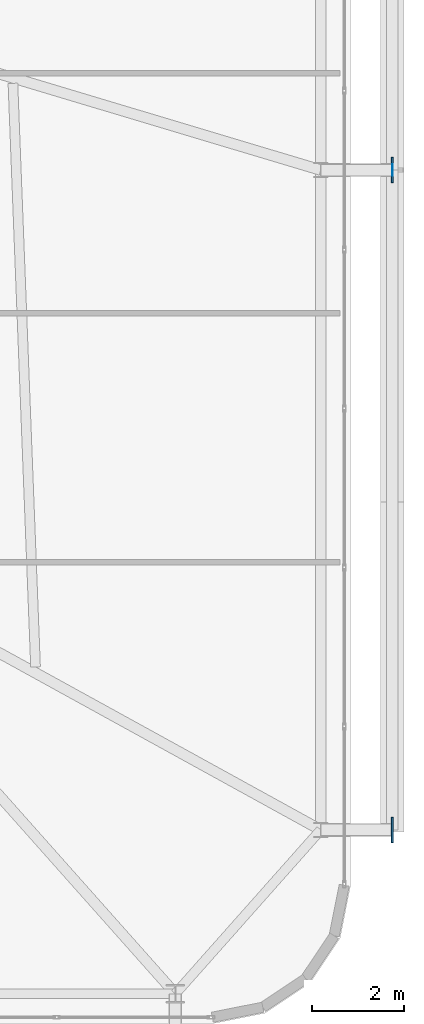
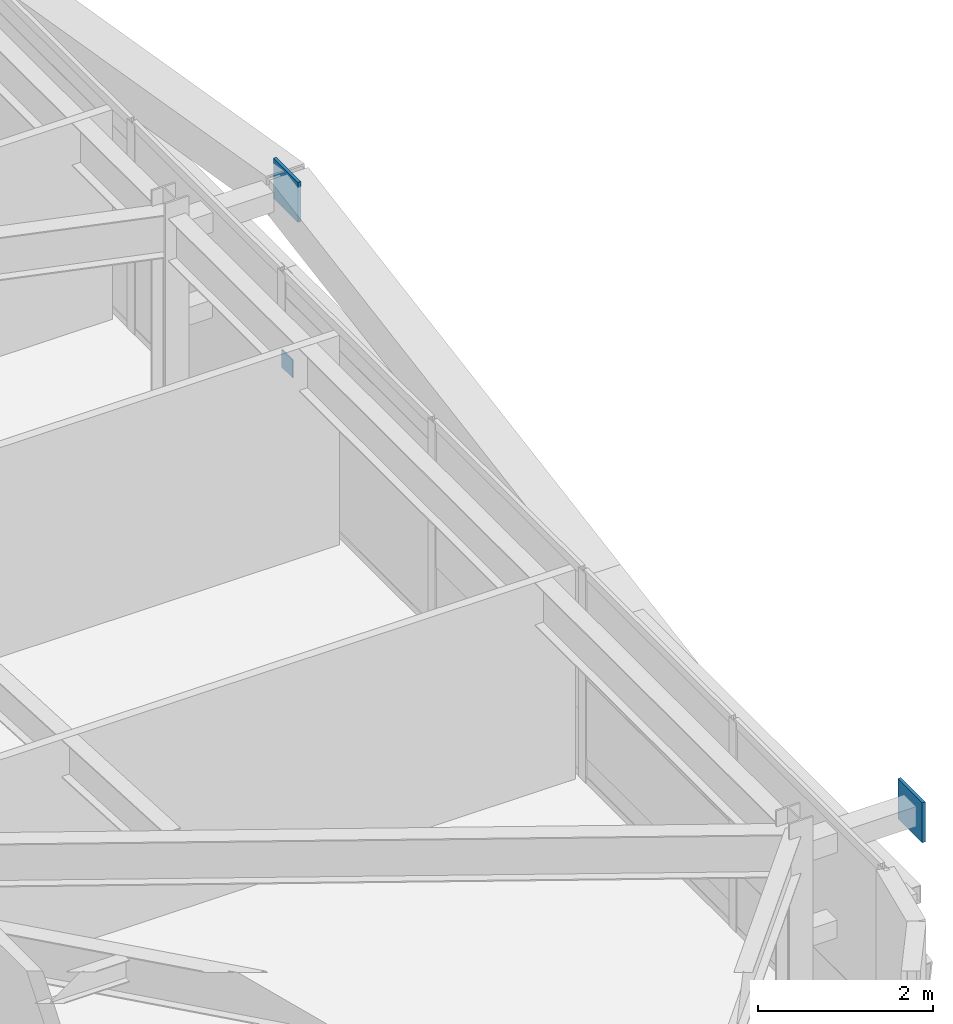
# One storey, part 48 of 58: 3 plates.
"""IFC4 building model written with IfcOpenShell, lengths in metres."""

from ifc_helpers import new_model, si_unit, direction, frame, origin, origin_2d, place, context, subcontext, project, spatial, rectangle, extrude, source, transform, mapped, material, layer, layer_set, type_object, element, save


model = new_model("IFC4")

# Units and contexts
model_context = context("Model", 3, precision=1e-05, world=origin(), true_north=direction((0.0, 1.0)))
body_context = subcontext(model_context, "Body", "Model", "MODEL_VIEW")
ifc_project = project(units=[si_unit("LENGTHUNIT", "METRE"), si_unit("AREAUNIT", "SQUARE_METRE"), si_unit("VOLUMEUNIT", "CUBIC_METRE"), si_unit("PLANEANGLEUNIT", "RADIAN"), si_unit("MASSUNIT", "GRAM", prefix="KILO")], contexts=[model_context])

# Site, building, storey
site_placement = place(None, origin())
site = spatial("IfcSite", under=ifc_project, at=site_placement, CompositionType="ELEMENT")
building_placement = place(site_placement, origin())
building = spatial("IfcBuilding", under=site, at=building_placement, Name="Taldren Reach Tower", CompositionType="ELEMENT")
storey_placement = place(building_placement, frame((0.0, 0.0, 54.60009765625)))
storey = spatial("IfcBuildingStorey", under=building, at=storey_placement, Name="L16", CompositionType="ELEMENT", Elevation=54.60009765625)

# Plates
ifc_material_1 = material(Name="Steel Gr 450 (C450L0)", Category="steel")
ifc_layer_1 = layer(ifc_material_1, 0.0400390625)
ifc_layer_set_1 = layer_set([ifc_layer_1], Name="Steel Gr 450 (C450L0)")
plate_type_1 = type_object("IfcPlateType", Name="PL-GUSSET-40", PredefinedType="SHEET", material=ifc_layer_set_1)
shared_shape_1 = source(origin(), body_context, "Body", "SweptSolid", [
    extrude(rectangle(XDim=0.56005859375, YDim=0.0400390625, at=origin_2d()), origin(), (0.0, 0.0, 1.0), 0.56005859375),
])
for number, where, z_axis, x_axis, name in (
    (1, (65.89990234375, 5.699951171875, 2.369873046875), (0.0, 0.0, 1.0), (0.0, 1.0, 0.0), "Exoskeleton star-node gusset plate B1-E1 L16"),
    (2, (65.89990234375, 20.0, 2.369873046875), (0.0, 0.0, 1.0), (0.0, 1.0, 0.0), "Exoskeleton star-node gusset plate B1-E2 L16"),
):
    element("IfcPlate", number, at=place(storey_placement, frame(where, z_axis=z_axis, x_axis=x_axis)), inside=storey, type_object=plate_type_1, Name=name, PredefinedType="SHEET", context=body_context, shape_type="MappedRepresentation", body=[
        mapped(shared_shape_1, transform((0.0, 0.0, 0.0), scale=1.0)),
    ])
ifc_material_2 = material(Name="Steel Gr 350 (C350L0)", Category="steel")
ifc_layer_2 = layer(ifc_material_2, 0.011962890625)
ifc_layer_set_2 = layer_set([ifc_layer_2], Name="Steel Gr 350 (C350L0)")
plate_type_2 = type_object("IfcPlateType", Name="PL-CAP-250", PredefinedType="SHEET", material=ifc_layer_set_2)
shared_shape_2 = source(origin(), body_context, "Body", "SweptSolid", [
    extrude(rectangle(XDim=0.011962890625, YDim=0.25, at=origin_2d()), origin(), (0.0, 0.0, 1.0), 0.25),
])
plate_placement = place(storey_placement, frame((65.906005859375, 20.0, 0.094970703125), z_axis=(0.0, 0.0, 1.0), x_axis=(1.0, 0.0, 0.0)))
element("IfcPlate", 3, at=plate_placement, inside=storey, type_object=plate_type_2, Name="Tie strut end cap plate B1-E2 L16", PredefinedType="SHEET", context=body_context, shape_type="MappedRepresentation", body=[
    mapped(shared_shape_2, transform((0.0, 0.0, 0.0), scale=1.0)),
])

save(model, "model.ifc")
